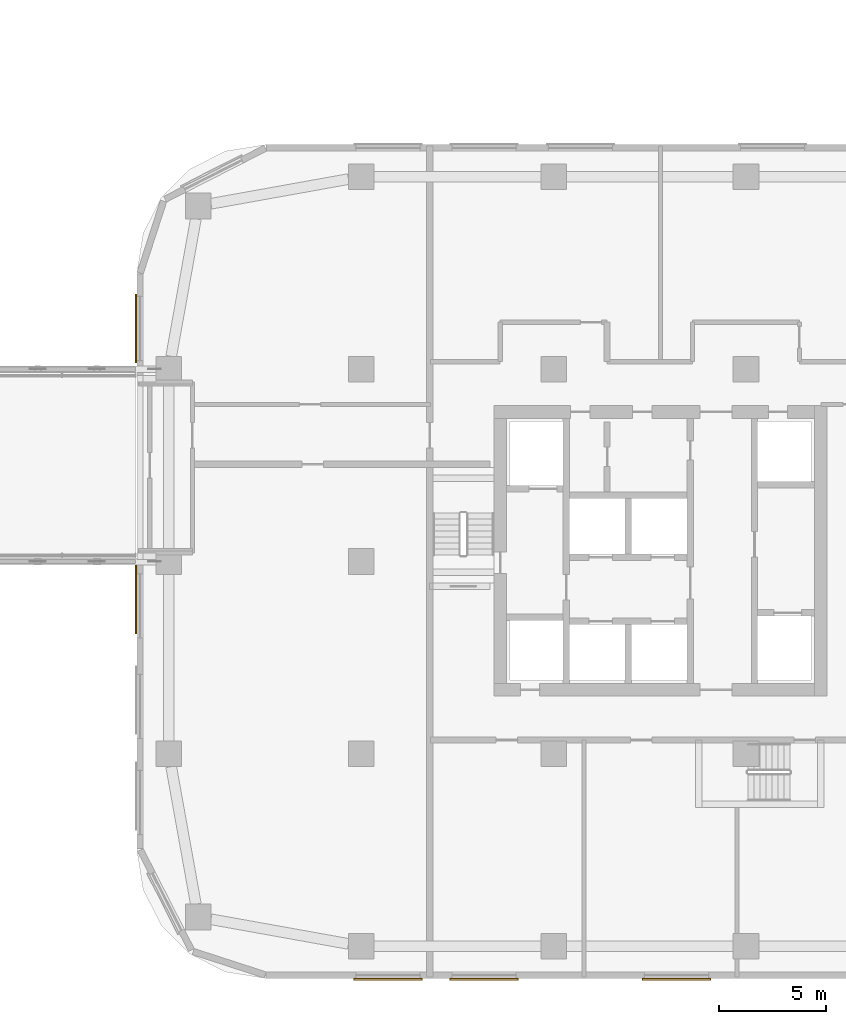
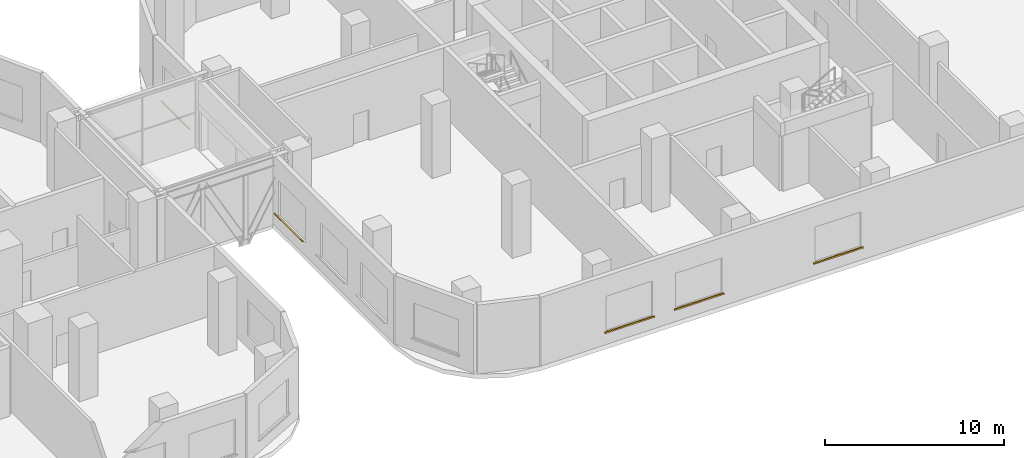
# One storey, part 31 of 33: 5 coverings.
"""IFC4 building model written with IfcOpenShell, lengths in metres."""

from ifc_helpers import new_model, si_unit, direction, frame, origin, origin_2d, place, context, subcontext, project, spatial, rectangle, extrude, material, layer, layer_set, type_object, element, save


model = new_model("IFC4")

# Units and contexts
model_context = context("Model", 3, precision=1e-05, world=origin(), true_north=direction((0.0, 1.0)))
body_context = subcontext(model_context, "Body", "Model", "MODEL_VIEW")
ifc_project = project(units=[si_unit("LENGTHUNIT", "METRE"), si_unit("AREAUNIT", "SQUARE_METRE"), si_unit("VOLUMEUNIT", "CUBIC_METRE"), si_unit("PLANEANGLEUNIT", "RADIAN"), si_unit("MASSUNIT", "GRAM", prefix="KILO")], contexts=[model_context])

# Site, building, storey
site_placement = place(None, origin())
site = spatial("IfcSite", under=ifc_project, at=site_placement, CompositionType="ELEMENT")
building_placement = place(site_placement, origin())
building = spatial("IfcBuilding", under=site, at=building_placement, Name="Ogive Portal Towers", CompositionType="ELEMENT")
storey_placement = place(building_placement, frame((0.0, 0.0, 28.5)))
storey = spatial("IfcBuildingStorey", under=building, at=storey_placement, Name="L05", CompositionType="ELEMENT", Elevation=28.5)

# Coverings
ifc_material = material(Name="Limestone cladding on lightweight block wall", Category="masonry")
ifc_layer = layer(ifc_material, 0.080078125)
ifc_layer_set = layer_set([ifc_layer], Name="STONE SILL 80")
covering_type = type_object("IfcCoveringType", Name="STONE SILL 80", PredefinedType="CLADDING", material=ifc_layer_set)
for number, where, z_axis, x_axis, name in (
    (1, (123.75, 10.9599609375, 0.840087890625), (0.0, 0.0, 1.0), (1.0, 0.0, 0.0), "Stone sill"),
    (2, (128.25, 10.9599609375, 0.840087890625), (0.0, 0.0, 1.0), (1.0, 0.0, 0.0), "Stone sill"),
    (3, (137.25, 10.9599609375, 0.840087890625), (0.0, 0.0, 1.0), (1.0, 0.0, 0.0), "Stone sill"),
    (4, (111.9599609375, 41.402587890625, 0.840087890625), (0.0, 0.0, 1.0), (0.0, -1.0, 0.0), "Stone sill"),
    (5, (111.9599609375, 28.723876953125, 0.840087890625), (0.0, 0.0, 1.0), (0.0, -1.0, 0.0), "Stone sill"),
):
    element("IfcCovering", number, at=place(storey_placement, frame(where, z_axis=z_axis, x_axis=x_axis)), inside=storey, type_object=covering_type, Name=name, PredefinedType="CLADDING", context=body_context, shape_type="SweptSolid", body=[
        extrude(rectangle(XDim=3.199951171875, YDim=0.080078125, at=origin_2d()), origin(), (0.0, 0.0, 1.0), 0.06005859375),
    ])

save(model, "model.ifc")
